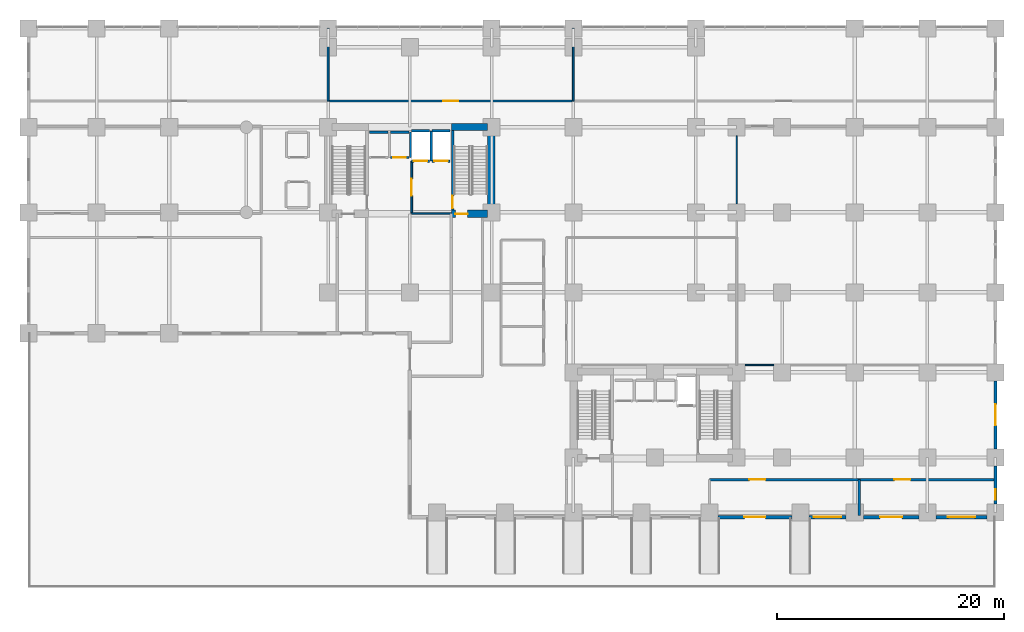
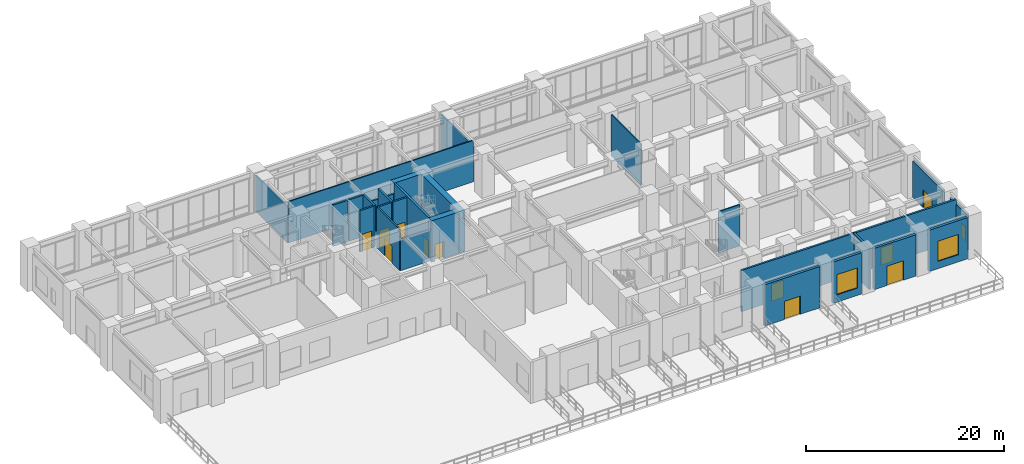
# One storey, part 16 of 22: 29 walls, 12 doors, 3 windows, 15 openings.
"""IFC4 building model written with IfcOpenShell, lengths in metres."""

from ifc_helpers import new_model, si_unit, direction, frame, frame_2d, origin, place, context, subcontext, project, spatial, rectangle, extrude, material, layer, layer_set, type_object, element, fill, save


model = new_model("IFC4")

# Units and contexts
model_context = context("Model", 3, precision=1e-05, world=origin(), true_north=direction((0.0, 1.0)))
body_context = subcontext(model_context, "Body", "Model", "MODEL_VIEW")
ifc_project = project(units=[si_unit("LENGTHUNIT", "METRE"), si_unit("AREAUNIT", "SQUARE_METRE"), si_unit("VOLUMEUNIT", "CUBIC_METRE"), si_unit("PLANEANGLEUNIT", "RADIAN"), si_unit("MASSUNIT", "GRAM", prefix="KILO")], contexts=[model_context])

# Site, building, storey
site_placement = place(None, origin())
site = spatial("IfcSite", under=ifc_project, at=site_placement, CompositionType="ELEMENT")
building_placement = place(site_placement, origin())
building = spatial("IfcBuilding", under=site, at=building_placement, Name="Kaliganga Portal Commons", CompositionType="ELEMENT")
storey_placement = place(building_placement, origin())
storey = spatial("IfcBuildingStorey", under=building, at=storey_placement, Name="L00", CompositionType="ELEMENT", Elevation=0.0)

# Wall
ifc_material_1 = material(Name="Concrete C70/85", Category="concrete")
ifc_layer_1 = layer(ifc_material_1, 0.64990234375)
ifc_layer_set_1 = layer_set([ifc_layer_1], Name="Concrete C70/85")
wall_type_1 = type_object("IfcWallType", Name="WL-CORE-650", PredefinedType="SHEAR", material=ifc_layer_set_1)
wall_1_placement = place(storey_placement, frame((28.77490234375, 28.199951171875, 0.0), z_axis=(0.0, 0.0, 1.0), x_axis=(0.0, 1.0, 0.0)))
element("IfcWall", 1, at=wall_1_placement, inside=storey, type_object=wall_type_1, Name="Core A East Shear Wall L00", PredefinedType="SHEAR", context=body_context, shape_type="SweptSolid", body=[
    extrude(rectangle(XDim=8.300048828125, YDim=0.64990234375, at=frame_2d((4.14990234375, 0.0))), origin(), (0.0, 0.0, 1.0), 5.1201171875),
])

# Wall, opening, door
wall_2_placement = place(storey_placement, frame((25.25, 28.52490234375, 0.0), z_axis=(0.0, 0.0, 1.0), x_axis=(1.0, 0.0, 0.0)))
wall_2 = element("IfcWall", 2, at=wall_2_placement, inside=storey, type_object=wall_type_1, Name="Core A S-East Shear Wall L00", PredefinedType="SHEAR", context=body_context, shape_type="SweptSolid", body=[
    extrude(rectangle(XDim=3.199951171875, YDim=0.64990234375, at=frame_2d((1.60009765625, 0.0))), origin(), (0.0, 0.0, 1.0), 5.1201171875),
])
opening_1_placement = place(wall_2_placement, frame((0.35009765625, 0.0, 0.0)))
opening_1 = element("IfcOpeningElement", 3, at=opening_1_placement, cuts=wall_2, Name="Opening SD-01", PredefinedType="OPENING", context=body_context, shape_type="SweptSolid", body=[
    extrude(rectangle(XDim=1.10009765625, YDim=2.080078125, at=frame_2d((0.550048828125, 1.0400390625))), frame((0.0, 0.3349609375, 0.0), z_axis=(0.0, -1.0, 0.0), x_axis=(1.0, 0.0, 0.0)), (0.0, 0.0, 1.0), 0.669921875),
])
ifc_material_2 = material(Name="Galvanized Steel Fire Door Leaf and Frame", Category="steel")
door_type_1 = type_object("IfcDoorType", Name="DR-STAIR-1100", OperationType="NOTDEFINED", PredefinedType="DOOR", material=ifc_material_2)
door_1_placement = place(opening_1_placement, origin())
door_1 = element("IfcDoor", 4, at=door_1_placement, inside=storey, type_object=door_type_1, Name="Protected Stair ST-A2 Exit Passageway Fire Door L00", OperationType="SINGLE_SWING_RIGHT", OverallHeight=2.080078125, OverallWidth=1.10009765625, PredefinedType="DOOR", context=body_context, shape_type="SweptSolid", body=[
    extrude(rectangle(XDim=1.10009765625, YDim=2.080078125, at=frame_2d((0.550048828125, 1.0400390625))), frame((0.0, 0.02490234375, 0.0), z_axis=(0.0, -1.0, 0.0), x_axis=(1.0, 0.0, 0.0)), (0.0, 0.0, 1.0), 0.050048828125),
])
fill(opening_1, door_1)

# Wall
wall_3_placement = place(storey_placement, frame((25.25, 36.175048828125, 0.0), z_axis=(0.0, 0.0, 1.0), x_axis=(1.0, 0.0, 0.0)))
element("IfcWall", 5, at=wall_3_placement, inside=storey, type_object=wall_type_1, Name="Core A N-East Shear Wall L00", PredefinedType="SHEAR", context=body_context, shape_type="SweptSolid", body=[
    extrude(rectangle(XDim=3.199951171875, YDim=0.64990234375, at=frame_2d((1.60009765625, 0.0))), origin(), (0.0, 0.0, 1.0), 5.1201171875),
])

# Wall, opening, door
ifc_material_3 = material(Name="Precast concrete C40/50", Category="concrete")
ifc_layer_2 = layer(ifc_material_3, 0.300048828125)
ifc_layer_set_2 = layer_set([ifc_layer_2], Name="Precast concrete C40/50")
wall_type_2 = type_object("IfcWallType", Name="WL-EXT-POD-300", PredefinedType="STANDARD", material=ifc_layer_set_2)
wall_4_placement = place(storey_placement, frame((55.2490234375, 1.800048828125, 0.0), z_axis=(0.0, 0.0, 1.0), x_axis=(-1.0, 0.0, 0.0)))
wall_4 = element("IfcWall", 6, at=wall_4_placement, inside=storey, type_object=wall_type_2, Name="Exterior Envelope Wall L00 P1-E00-S6", PredefinedType="STANDARD", context=body_context, shape_type="SweptSolid", body=[
    extrude(rectangle(XDim=6.498046875, YDim=0.300048828125, at=frame_2d((3.2490234375, 0.0))), origin(), (0.0, 0.0, 1.0), 5.10009765625),
])
opening_2_placement = place(wall_4_placement, frame((2.323974609375, 0.0, 0.0)))
opening_2 = element("IfcOpeningElement", 7, at=opening_2_placement, cuts=wall_4, Name="Opening XD-01", PredefinedType="OPENING", context=body_context, shape_type="SweptSolid", body=[
    extrude(rectangle(XDim=1.85009765625, YDim=2.25, at=frame_2d((0.925048828125, 1.125))), frame((0.0, 0.16015625, 0.0), z_axis=(0.0, -1.0, 0.0), x_axis=(1.0, 0.0, 0.0)), (0.0, 0.0, 1.0), 0.320068359375),
])
ifc_material_4 = material(Name="Anodized Aluminium and Laminated Safety Glass", Category="aluminium")
door_type_2 = type_object("IfcDoorType", Name="DR-EXIT-1850", OperationType="DOUBLE_DOOR_SINGLE_SWING", PredefinedType="DOOR", material=ifc_material_4)
door_2_placement = place(opening_2_placement, origin())
door_2 = element("IfcDoor", 8, at=door_2_placement, inside=storey, type_object=door_type_2, Name="Fire Command Centre Exterior Door XD-01", OperationType="DOUBLE_DOOR_SINGLE_SWING", OverallHeight=2.25, OverallWidth=1.85009765625, PredefinedType="DOOR", context=body_context, shape_type="SweptSolid", body=[
    extrude(rectangle(XDim=1.85009765625, YDim=2.25, at=frame_2d((0.925048828125, 1.125))), frame((0.0, 0.02490234375, 0.0), z_axis=(0.0, -1.0, 0.0), x_axis=(1.0, 0.0, 0.0)), (0.0, 0.0, 1.0), 0.050048828125),
])
fill(opening_2, door_2)

# Wall, opening, window
wall_5_placement = place(storey_placement, frame((60.049072265625, 1.800048828125, 0.0), z_axis=(0.0, 0.0, 1.0), x_axis=(-1.0, 0.0, 0.0)))
wall_5 = element("IfcWall", 9, at=wall_5_placement, inside=storey, type_object=wall_type_2, Name="Exterior Envelope Wall L00 P1-E00-S7", PredefinedType="STANDARD", context=body_context, shape_type="SweptSolid", body=[
    extrude(rectangle(XDim=3.298095703125, YDim=0.300048828125, at=frame_2d((1.64892578125, 0.0))), origin(), (0.0, 0.0, 1.0), 5.10009765625),
])
opening_3_placement = place(wall_5_placement, frame((0.448974609375, 0.0, 0.89990234375)))
opening_3 = element("IfcOpeningElement", 10, at=opening_3_placement, cuts=wall_5, Name="Opening W-05", PredefinedType="OPENING", context=body_context, shape_type="SweptSolid", body=[
    extrude(rectangle(XDim=2.39990234375, YDim=2.5, at=frame_2d((1.199951171875, 1.25))), frame((0.0, 0.16015625, 0.0), z_axis=(0.0, -1.0, 0.0), x_axis=(1.0, 0.0, 0.0)), (0.0, 0.0, 1.0), 0.320068359375),
])
ifc_material_5 = material(Name="Thermally Broken Aluminium and Low-E Double Glazing", Category="aluminium")
window_type_1 = type_object("IfcWindowType", Name="WIN-POD-2400", PartitioningType="TRIPLE_PANEL_VERTICAL", PredefinedType="WINDOW", material=ifc_material_5)
window_1_placement = place(opening_3_placement, origin())
window_1 = element("IfcWindow", 11, at=window_1_placement, inside=storey, type_object=window_type_1, Name="Facade Window L00-P1E00S7-00", OverallHeight=2.5, OverallWidth=2.39990234375, PartitioningType="SINGLE_PANEL", PredefinedType="WINDOW", context=body_context, shape_type="SweptSolid", body=[
    extrude(rectangle(XDim=2.39990234375, YDim=2.5, at=frame_2d((1.199951171875, 1.25))), frame((0.0, 0.030029296875, 0.0), z_axis=(0.0, -1.0, 0.0), x_axis=(1.0, 0.0, 0.0)), (0.0, 0.0, 1.0), 0.06005859375),
])
fill(opening_3, window_1)

# Wall, opening, door
wall_6_placement = place(storey_placement, frame((66.448974609375, 1.800048828125, 0.0), z_axis=(0.0, 0.0, 1.0), x_axis=(-1.0, 0.0, 0.0)))
wall_6 = element("IfcWall", 12, at=wall_6_placement, inside=storey, type_object=wall_type_2, Name="Exterior Envelope Wall L00 P1-E00-S8", PredefinedType="STANDARD", context=body_context, shape_type="SweptSolid", body=[
    extrude(rectangle(XDim=4.89794921875, YDim=0.300048828125, at=frame_2d((2.448974609375, 0.0))), origin(), (0.0, 0.0, 1.0), 5.10009765625),
])
opening_4_placement = place(wall_6_placement, frame((1.47412109375, 0.0, 0.0)))
opening_4 = element("IfcOpeningElement", 13, at=opening_4_placement, cuts=wall_6, Name="Opening ED-02", PredefinedType="OPENING", context=body_context, shape_type="SweptSolid", body=[
    extrude(rectangle(XDim=1.949951171875, YDim=2.39990234375, at=frame_2d((0.97509765625, 1.199951171875))), frame((0.0, 0.16015625, 0.0), z_axis=(0.0, -1.0, 0.0), x_axis=(1.0, 0.0, 0.0)), (0.0, 0.0, 1.0), 0.320068359375),
])
door_type_3 = type_object("IfcDoorType", Name="DR-POD-1950", OperationType="DOUBLE_DOOR_SINGLE_SWING", PredefinedType="DOOR", material=ifc_material_4)
door_3_placement = place(opening_4_placement, origin())
door_3 = element("IfcDoor", 14, at=door_3_placement, inside=storey, type_object=door_type_3, Name="Service Loading Bay Exterior Door ED-02", OperationType="DOUBLE_DOOR_SINGLE_SWING", OverallHeight=2.39990234375, OverallWidth=1.949951171875, PredefinedType="DOOR", context=body_context, shape_type="SweptSolid", body=[
    extrude(rectangle(XDim=1.949951171875, YDim=2.39990234375, at=frame_2d((0.97509765625, 1.199951171875))), frame((0.0, 0.02490234375, 0.0), z_axis=(0.0, -1.0, 0.0), x_axis=(1.0, 0.0, 0.0)), (0.0, 0.0, 1.0), 0.050048828125),
])
fill(opening_4, door_3)

# Wall, opening, window
wall_7_placement = place(storey_placement, frame((72.448974609375, 1.800048828125, 0.0), z_axis=(0.0, 0.0, 1.0), x_axis=(-1.0, 0.0, 0.0)))
wall_7 = element("IfcWall", 15, at=wall_7_placement, inside=storey, type_object=wall_type_2, Name="Exterior Envelope Wall L00 P1-E00-S9", PredefinedType="STANDARD", context=body_context, shape_type="SweptSolid", body=[
    extrude(rectangle(XDim=4.498046875, YDim=0.300048828125, at=frame_2d((2.2490234375, 0.0))), origin(), (0.0, 0.0, 1.0), 5.10009765625),
])
opening_5_placement = place(wall_7_placement, frame((1.049072265625, 0.0, 0.89990234375)))
opening_5 = element("IfcOpeningElement", 16, at=opening_5_placement, cuts=wall_7, Name="Opening W-05", PredefinedType="OPENING", context=body_context, shape_type="SweptSolid", body=[
    extrude(rectangle(XDim=2.39990234375, YDim=2.5, at=frame_2d((1.199951171875, 1.25))), frame((0.0, 0.16015625, 0.0), z_axis=(0.0, -1.0, 0.0), x_axis=(1.0, 0.0, 0.0)), (0.0, 0.0, 1.0), 0.320068359375),
])
window_2_placement = place(opening_5_placement, origin())
window_2 = element("IfcWindow", 17, at=window_2_placement, inside=storey, type_object=window_type_1, Name="Facade Window L00-P1E00S9-00", OverallHeight=2.5, OverallWidth=2.39990234375, PartitioningType="SINGLE_PANEL", PredefinedType="WINDOW", context=body_context, shape_type="SweptSolid", body=[
    extrude(rectangle(XDim=2.39990234375, YDim=2.5, at=frame_2d((1.199951171875, 1.25))), frame((0.0, 0.030029296875, 0.0), z_axis=(0.0, -1.0, 0.0), x_axis=(1.0, 0.0, 0.0)), (0.0, 0.0, 1.0), 0.06005859375),
])
fill(opening_5, window_2)

wall_8_placement = place(storey_placement, frame((73.199951171875, 6.299072265625, 0.0), z_axis=(0.0, 0.0, 1.0), x_axis=(0.0, -1.0, 0.0)))
wall_8 = element("IfcWall", 18, at=wall_8_placement, inside=storey, type_object=wall_type_2, Name="Exterior Envelope Wall L00 P1-E01-S1", PredefinedType="STANDARD", context=body_context, shape_type="SweptSolid", body=[
    extrude(rectangle(XDim=3.34814453125, YDim=0.300048828125, at=frame_2d((1.674072265625, 0.0))), origin(), (0.0, 0.0, 1.0), 4.5),
])
opening_6_placement = place(wall_8_placement, frame((2.029296875, 0.0, 0.89990234375)))
opening_6 = element("IfcOpeningElement", 19, at=opening_6_placement, cuts=wall_8, Name="Opening W-04", PredefinedType="OPENING", context=body_context, shape_type="SweptSolid", body=[
    extrude(rectangle(XDim=0.949951171875, YDim=1.75, at=frame_2d((0.47509765625, 0.875))), frame((0.0, 0.16015625, 0.0), z_axis=(0.0, -1.0, 0.0), x_axis=(1.0, 0.0, 0.0)), (0.0, 0.0, 1.0), 0.320068359375),
])
window_type_2 = type_object("IfcWindowType", Name="WIN-NARROW-950", PartitioningType="SINGLE_PANEL", PredefinedType="WINDOW", material=ifc_material_5)
window_3_placement = place(opening_6_placement, origin())
window_3 = element("IfcWindow", 20, at=window_3_placement, inside=storey, type_object=window_type_2, Name="Facade Window L00-P1E01S1-N2", OverallHeight=1.75, OverallWidth=0.949951171875, PartitioningType="SINGLE_PANEL", PredefinedType="WINDOW", context=body_context, shape_type="SweptSolid", body=[
    extrude(rectangle(XDim=0.949951171875, YDim=1.75, at=frame_2d((0.47509765625, 0.875))), frame((0.0, 0.030029296875, 0.0), z_axis=(0.0, -1.0, 0.0), x_axis=(1.0, 0.0, 0.0)), (0.0, 0.0, 1.0), 0.06005859375),
])
fill(opening_6, window_3)

# Wall, opening, door
wall_9_placement = place(storey_placement, frame((73.199951171875, 13.799072265625, 0.0), z_axis=(0.0, 0.0, 1.0), x_axis=(0.0, -1.0, 0.0)))
wall_9 = element("IfcWall", 21, at=wall_9_placement, inside=storey, type_object=wall_type_2, Name="Exterior Envelope Wall L00 P1-E01-S2", PredefinedType="STANDARD", context=body_context, shape_type="SweptSolid", body=[
    extrude(rectangle(XDim=5.998046875, YDim=0.300048828125, at=frame_2d((2.9990234375, 0.0))), origin(), (0.0, 0.0, 1.0), 4.5),
])
opening_7_placement = place(wall_9_placement, frame((2.073974609375, 0.0, 0.0)))
opening_7 = element("IfcOpeningElement", 22, at=opening_7_placement, cuts=wall_9, Name="Opening XD-01", PredefinedType="OPENING", context=body_context, shape_type="SweptSolid", body=[
    extrude(rectangle(XDim=1.85009765625, YDim=2.25, at=frame_2d((0.925048828125, 1.125))), frame((0.0, 0.16015625, 0.0), z_axis=(0.0, -1.0, 0.0), x_axis=(1.0, 0.0, 0.0)), (0.0, 0.0, 1.0), 0.320068359375),
])
door_4_placement = place(opening_7_placement, origin())
door_4 = element("IfcDoor", 23, at=door_4_placement, inside=storey, type_object=door_type_2, Name="East Forecourt Exit Discharge Door XD-E", OperationType="DOUBLE_DOOR_SINGLE_SWING", OverallHeight=2.25, OverallWidth=1.85009765625, PredefinedType="DOOR", context=body_context, shape_type="SweptSolid", body=[
    extrude(rectangle(XDim=1.85009765625, YDim=2.25, at=frame_2d((0.925048828125, 1.125))), frame((0.0, 0.02490234375, 0.0), z_axis=(0.0, -1.0, 0.0), x_axis=(1.0, 0.0, 0.0)), (0.0, 0.0, 1.0), 0.050048828125),
])
fill(opening_7, door_4)

ifc_material_6 = material(Name="Fire-Rated Gypsum Board on Steel Stud", Category="steel")
ifc_layer_3 = layer(ifc_material_6, 0.14990234375)
ifc_layer_set_3 = layer_set([ifc_layer_3], Name="Fire-Rated Gypsum Board on Steel Stud")
wall_type_3 = type_object("IfcWallType", Name="WL-PART-CORR-150", PredefinedType="PARTITIONING", material=ifc_layer_set_3)
wall_10_placement = place(storey_placement, frame((14.39990234375, 38.4599609375, 0.0), z_axis=(0.0, 0.0, 1.0), x_axis=(1.0, 0.0, 0.0)))
wall_10 = element("IfcWall", 24, at=wall_10_placement, inside=storey, type_object=wall_type_3, Name="Interior Partition L00-018", PredefinedType="PARTITIONING", context=body_context, shape_type="SweptSolid", body=[
    extrude(rectangle(XDim=21.60009765625, YDim=0.14990234375, at=frame_2d((10.800048828125, 0.0))), origin(), (0.0, 0.0, 1.0), 5.10009765625),
])
opening_8_placement = place(wall_10_placement, frame((10.14990234375, 0.0, 0.0)))
opening_8 = element("IfcOpeningElement", 25, at=opening_8_placement, cuts=wall_10, Name="Opening RD-03", PredefinedType="OPENING", context=body_context, shape_type="SweptSolid", body=[
    extrude(rectangle(XDim=1.300048828125, YDim=2.1201171875, at=frame_2d((0.64990234375, 1.06005859375))), frame((0.0, 0.0849609375, 0.0), z_axis=(0.0, -1.0, 0.0), x_axis=(1.0, 0.0, 0.0)), (0.0, 0.0, 1.0), 0.169921875),
])
ifc_material_7 = material(Name="Glazed Timber Seminar Vision Door", Category="wood")
door_type_4 = type_object("IfcDoorType", Name="DR-STUDY-1300", OperationType="DOUBLE_DOOR_SINGLE_SWING", PredefinedType="DOOR", material=ifc_material_7)
door_5_placement = place(opening_8_placement, origin())
door_5 = element("IfcDoor", 26, at=door_5_placement, inside=storey, type_object=door_type_4, Name="Interior Door L00-COOP", OperationType="DOUBLE_DOOR_SINGLE_SWING", OverallHeight=2.1201171875, OverallWidth=1.300048828125, PredefinedType="DOOR", context=body_context, shape_type="SweptSolid", body=[
    extrude(rectangle(XDim=1.300048828125, YDim=2.1201171875, at=frame_2d((0.64990234375, 1.06005859375))), frame((0.0, 0.02490234375, 0.0), z_axis=(0.0, -1.0, 0.0), x_axis=(1.0, 0.0, 0.0)), (0.0, 0.0, 1.0), 0.050048828125),
])
fill(opening_8, door_5)

wall_11_placement = place(storey_placement, frame((21.760009765625, 28.56005859375, 0.0), z_axis=(0.0, 0.0, 1.0), x_axis=(0.0, 1.0, 0.0)))
wall_11 = element("IfcWall", 27, at=wall_11_placement, inside=storey, type_object=wall_type_3, Name="Interior Partition L00-050", PredefinedType="PARTITIONING", context=body_context, shape_type="SweptSolid", body=[
    extrude(rectangle(XDim=4.599853515625, YDim=0.14990234375, at=frame_2d((2.2998046875, 0.0))), origin(), (0.0, 0.0, 1.0), 5.10009765625),
])
opening_9_placement = place(wall_11_placement, frame((1.550048828125, 0.0, 0.0)))
opening_9 = element("IfcOpeningElement", 28, at=opening_9_placement, cuts=wall_11, Name="Opening FD-01", PredefinedType="OPENING", context=body_context, shape_type="SweptSolid", body=[
    extrude(rectangle(XDim=1.5, YDim=2.10009765625, at=frame_2d((0.75, 1.050048828125))), frame((0.0, 0.0849609375, 0.0), z_axis=(0.0, -1.0, 0.0), x_axis=(1.0, 0.0, 0.0)), (0.0, 0.0, 1.0), 0.169921875),
])
ifc_material_8 = material(Name="Fire-Rated Hardwood and Georgian-Wired Vision Panel", Category="wood")
door_type_5 = type_object("IfcDoorType", Name="DR-LOBBY-1500", OperationType="DOUBLE_DOOR_SINGLE_SWING", PredefinedType="DOOR", material=ifc_material_8)
door_6_placement = place(opening_9_placement, origin())
door_6 = element("IfcDoor", 29, at=door_6_placement, inside=storey, type_object=door_type_5, Name="Interior Door L00-FFLOB_A", OperationType="DOUBLE_DOOR_SINGLE_SWING", OverallHeight=2.10009765625, OverallWidth=1.5, PredefinedType="DOOR", context=body_context, shape_type="SweptSolid", body=[
    extrude(rectangle(XDim=1.5, YDim=2.10009765625, at=frame_2d((0.75, 1.050048828125))), frame((0.0, 0.02490234375, 0.0), z_axis=(0.0, -1.0, 0.0), x_axis=(1.0, 0.0, 0.0)), (0.0, 0.0, 1.0), 0.050048828125),
])
fill(opening_9, door_6)

# Wall
wall_12_placement = place(storey_placement, frame((21.760009765625, 28.56005859375, 0.0), z_axis=(0.0, 0.0, 1.0), x_axis=(1.0, 0.0, 0.0)))
element("IfcWall", 30, at=wall_12_placement, inside=storey, type_object=wall_type_3, Name="Interior Partition L00-057", PredefinedType="PARTITIONING", context=body_context, shape_type="SweptSolid", body=[
    extrude(rectangle(XDim=3.47998046875, YDim=0.14990234375, at=frame_2d((1.739990234375, 0.0))), origin(), (0.0, 0.0, 1.0), 3.89990234375),
])

# Wall, opening, door
ifc_material_9 = material(Name="Lightweight blockwork masonry", Category="masonry")
ifc_layer_4 = layer(ifc_material_9, 0.215087890625)
ifc_layer_set_4 = layer_set([ifc_layer_4], Name="Lightweight blockwork masonry")
wall_type_4 = type_object("IfcWallType", Name="WL-PART-PLANT-215", PredefinedType="PARTITIONING", material=ifc_layer_set_4)
wall_13_placement = place(storey_placement, frame((48.0, 5.10009765625, 0.0), z_axis=(0.0, 0.0, 1.0), x_axis=(1.0, 0.0, 0.0)))
wall_13 = element("IfcWall", 31, at=wall_13_placement, inside=storey, type_object=wall_type_4, Name="Interior Partition L00-028", PredefinedType="PARTITIONING", context=body_context, shape_type="SweptSolid", body=[
    extrude(rectangle(XDim=13.199951171875, YDim=0.215087890625, at=frame_2d((6.60009765625, 0.0))), origin(), (0.0, 0.0, 1.0), 5.10009765625),
])
opening_10_placement = place(wall_13_placement, frame((3.52392578125, 0.0, 0.0)))
opening_10 = element("IfcOpeningElement", 32, at=opening_10_placement, cuts=wall_13, Name="Opening PD-01", PredefinedType="OPENING", context=body_context, shape_type="SweptSolid", body=[
    extrude(rectangle(XDim=1.39990234375, YDim=2.14990234375, at=frame_2d((0.699951171875, 1.074951171875))), frame((0.0, 0.11767578125, 0.0), z_axis=(0.0, -1.0, 0.0), x_axis=(1.0, 0.0, 0.0)), (0.0, 0.0, 1.0), 0.235107421875),
])
ifc_material_10 = material(Name="Heavy-Duty Steel Acoustic Louvre Fire Door", Category="steel")
door_type_6 = type_object("IfcDoorType", Name="DR-PLANT-1400", OperationType="DOUBLE_DOOR_SINGLE_SWING", PredefinedType="DOOR", material=ifc_material_10)
door_7_placement = place(opening_10_placement, origin())
door_7 = element("IfcDoor", 33, at=door_7_placement, inside=storey, type_object=door_type_6, Name="Interior Door L00-FCC", OperationType="DOUBLE_DOOR_SINGLE_SWING", OverallHeight=2.14990234375, OverallWidth=1.39990234375, PredefinedType="DOOR", context=body_context, shape_type="SweptSolid", body=[
    extrude(rectangle(XDim=1.39990234375, YDim=2.14990234375, at=frame_2d((0.699951171875, 1.074951171875))), frame((0.0, 0.02490234375, 0.0), z_axis=(0.0, -1.0, 0.0), x_axis=(1.0, 0.0, 0.0)), (0.0, 0.0, 1.0), 0.050048828125),
])
fill(opening_10, door_7)

wall_14_placement = place(storey_placement, frame((61.199951171875, 5.10009765625, 0.0), z_axis=(0.0, 0.0, 1.0), x_axis=(1.0, 0.0, 0.0)))
wall_14 = element("IfcWall", 34, at=wall_14_placement, inside=storey, type_object=wall_type_4, Name="Interior Partition L00-029", PredefinedType="PARTITIONING", context=body_context, shape_type="SweptSolid", body=[
    extrude(rectangle(XDim=11.8681640625, YDim=0.215087890625, at=frame_2d((5.93408203125, 0.0))), origin(), (0.0, 0.0, 1.0), 5.10009765625),
])
opening_11_placement = place(wall_14_placement, frame((3.097900390625, 0.0, 0.0)))
opening_11 = element("IfcOpeningElement", 35, at=opening_11_placement, cuts=wall_14, Name="Opening PD-01", PredefinedType="OPENING", context=body_context, shape_type="SweptSolid", body=[
    extrude(rectangle(XDim=1.39990234375, YDim=2.14990234375, at=frame_2d((0.699951171875, 1.074951171875))), frame((0.0, 0.11767578125, 0.0), z_axis=(0.0, -1.0, 0.0), x_axis=(1.0, 0.0, 0.0)), (0.0, 0.0, 1.0), 0.235107421875),
])
door_8_placement = place(opening_11_placement, origin())
door_8 = element("IfcDoor", 36, at=door_8_placement, inside=storey, type_object=door_type_6, Name="Interior Door L00-LOAD", OperationType="DOUBLE_DOOR_SINGLE_SWING", OverallHeight=2.14990234375, OverallWidth=1.39990234375, PredefinedType="DOOR", context=body_context, shape_type="SweptSolid", body=[
    extrude(rectangle(XDim=1.39990234375, YDim=2.14990234375, at=frame_2d((0.699951171875, 1.074951171875))), frame((0.0, 0.02490234375, 0.0), z_axis=(0.0, -1.0, 0.0), x_axis=(1.0, 0.0, 0.0)), (0.0, 0.0, 1.0), 0.050048828125),
])
fill(opening_11, door_8)

# Walls
wall_15_placement = place(storey_placement, frame((61.199951171875, 1.931884765625, 0.0), z_axis=(0.0, 0.0, 1.0), x_axis=(0.0, 1.0, 0.0)))
element("IfcWall", 37, at=wall_15_placement, inside=storey, type_object=wall_type_4, Name="Interior Partition L00-059", PredefinedType="PARTITIONING", context=body_context, shape_type="SweptSolid", body=[
    extrude(rectangle(XDim=3.168212890625, YDim=0.215087890625, at=frame_2d((1.583984375, 0.0))), origin(), (0.0, 0.0, 1.0), 5.10009765625),
])
ifc_material_11 = material(Name="Moisture-Resistant Gypsum Partition", Category="gypsum")
ifc_layer_5 = layer(ifc_material_11, 0.114990234375)
ifc_layer_set_5 = layer_set([ifc_layer_5], Name="Moisture-Resistant Gypsum Partition")
wall_type_5 = type_object("IfcWallType", Name="WL-PART-ROOM-115", PredefinedType="PARTITIONING", material=ifc_layer_set_5)
wall_16_placement = place(storey_placement, frame((51.14990234375, 15.199951171875, 0.0), z_axis=(0.0, 0.0, 1.0), x_axis=(1.0, 0.0, 0.0)))
element("IfcWall", 38, at=wall_16_placement, inside=storey, type_object=wall_type_5, Name="Interior Partition L00-037", PredefinedType="PARTITIONING", context=body_context, shape_type="SweptSolid", body=[
    extrude(rectangle(XDim=2.5, YDim=0.114990234375, at=frame_2d((1.25, 0.0))), origin(), (0.0, 0.0, 1.0), 5.10009765625),
])
wall_17_placement = place(storey_placement, frame((50.39990234375, 29.39990234375, 0.0), z_axis=(0.0, 0.0, 1.0), x_axis=(0.0, 1.0, 0.0)))
element("IfcWall", 39, at=wall_17_placement, inside=storey, type_object=wall_type_5, Name="Interior Partition L00-046", PredefinedType="PARTITIONING", context=body_context, shape_type="SweptSolid", body=[
    extrude(rectangle(XDim=6.0, YDim=0.114990234375, at=frame_2d((3.0, 0.0))), origin(), (0.0, 0.0, 1.0), 5.10009765625),
])
ifc_material_12 = material(Name="Twin-Stud Acoustic Gypsum Partition", Category="gypsum")
ifc_layer_6 = layer(ifc_material_12, 0.1650390625)
ifc_layer_set_6 = layer_set([ifc_layer_6], Name="Twin-Stud Acoustic Gypsum Partition")
wall_type_6 = type_object("IfcWallType", Name="WL-PART-UNIT-165", PredefinedType="PARTITIONING", material=ifc_layer_set_6)
for number, where, z_axis, x_axis, name in (
    (40, (14.39990234375, 38.4599609375, 0.0), (0.0, 0.0, 1.0), (0.0, 1.0, 0.0), "Interior Partition L00-048"),
    (41, (36.0, 38.4599609375, 0.0), (0.0, 0.0, 1.0), (0.0, 1.0, 0.0), "Interior Partition L00-049"),
):
    element("IfcWall", number, at=place(storey_placement, frame(where, z_axis=z_axis, x_axis=x_axis)), inside=storey, type_object=wall_type_6, Name=name, PredefinedType="PARTITIONING", context=body_context, shape_type="SweptSolid", body=[
        extrude(rectangle(XDim=6.407958984375, YDim=0.1650390625, at=frame_2d((3.2041015625, 0.0))), origin(), (0.0, 0.0, 1.0), 4.5),
    ])
ifc_material_13 = material(Name="Fire-Rated Shaftwall Masonry Assembly", Category="masonry")
ifc_layer_7 = layer(ifc_material_13, 0.199951171875)
ifc_layer_set_7 = layer_set([ifc_layer_7], Name="Fire-Rated Shaftwall Masonry Assembly")
wall_type_7 = type_object("IfcWallType", Name="WL-SHAFT-200", PredefinedType="PARTITIONING", material=ifc_layer_set_7)
wall_18_placement = place(storey_placement, frame((18.02490234375, 35.715087890625, 0.0), z_axis=(0.0, 0.0, 1.0), x_axis=(1.0, 0.0, 0.0)))
element("IfcWall", 42, at=wall_18_placement, inside=storey, type_object=wall_type_7, Name="Lift PL-A1 Hoistway Shaft Wall L00-N", PredefinedType="PARTITIONING", context=body_context, shape_type="SweptSolid", body=[
    extrude(rectangle(XDim=1.650146484375, YDim=0.199951171875, at=frame_2d((0.8251953125, 0.0))), origin(), (0.0, 0.0, 1.0), 5.10009765625),
])

# Wall, opening, door
wall_19_placement = place(storey_placement, frame((19.875, 33.485107421875, 0.0), z_axis=(0.0, 0.0, 1.0), x_axis=(1.0, 0.0, 0.0)))
wall_19 = element("IfcWall", 43, at=wall_19_placement, inside=storey, type_object=wall_type_7, Name="Lift PL-A2 Hoistway Shaft Wall L00-S", PredefinedType="PARTITIONING", context=body_context, shape_type="SweptSolid", body=[
    extrude(rectangle(XDim=1.64990234375, YDim=0.199951171875, at=frame_2d((0.824951171875, 0.0))), origin(), (0.0, 0.0, 1.0), 5.10009765625),
])
opening_12_placement = place(wall_19_placement, frame((0.27490234375, 0.0, 0.0)))
opening_12 = element("IfcOpeningElement", 44, at=opening_12_placement, cuts=wall_19, Name="Opening LD-01", PredefinedType="OPENING", context=body_context, shape_type="SweptSolid", body=[
    extrude(rectangle(XDim=1.10009765625, YDim=2.1201171875, at=frame_2d((0.550048828125, 1.06005859375))), frame((0.0, 0.10986328125, 0.0), z_axis=(0.0, -1.0, 0.0), x_axis=(1.0, 0.0, 0.0)), (0.0, 0.0, 1.0), 0.219970703125),
])
ifc_material_14 = material(Name="Brushed Stainless Steel 316 Lift Landing Door", Category="steel")
door_type_7 = type_object("IfcDoorType", Name="DR-LIFT-1100", OperationType="SLIDING_TO_LEFT", PredefinedType="DOOR", material=ifc_material_14)
door_9_placement = place(opening_12_placement, origin())
door_9 = element("IfcDoor", 45, at=door_9_placement, inside=storey, type_object=door_type_7, Name="Lift PL-A2 Sliding Landing Door L00", OperationType="SLIDING_TO_LEFT", OverallHeight=2.1201171875, OverallWidth=1.10009765625, PredefinedType="DOOR", context=body_context, shape_type="SweptSolid", body=[
    extrude(rectangle(XDim=1.10009765625, YDim=2.1201171875, at=frame_2d((0.550048828125, 1.06005859375))), frame((0.0, 0.02490234375, 0.0), z_axis=(0.0, -1.0, 0.0), x_axis=(1.0, 0.0, 0.0)), (0.0, 0.0, 1.0), 0.050048828125),
])
fill(opening_12, door_9)

# Walls
wall_20_placement = place(storey_placement, frame((19.875, 35.715087890625, 0.0), z_axis=(0.0, 0.0, 1.0), x_axis=(1.0, 0.0, 0.0)))
element("IfcWall", 46, at=wall_20_placement, inside=storey, type_object=wall_type_7, Name="Lift PL-A2 Hoistway Shaft Wall L00-N", PredefinedType="PARTITIONING", context=body_context, shape_type="SweptSolid", body=[
    extrude(rectangle(XDim=1.64990234375, YDim=0.199951171875, at=frame_2d((0.824951171875, 0.0))), origin(), (0.0, 0.0, 1.0), 5.10009765625),
])
wall_21_placement = place(storey_placement, frame((21.6650390625, 33.485107421875, 0.0), z_axis=(0.0, 0.0, 1.0), x_axis=(0.0, 1.0, 0.0)))
element("IfcWall", 47, at=wall_21_placement, inside=storey, type_object=wall_type_7, Name="Lift PL-A2 Hoistway Shaft Wall L00-E", PredefinedType="PARTITIONING", context=body_context, shape_type="SweptSolid", body=[
    extrude(rectangle(XDim=2.22998046875, YDim=0.199951171875, at=frame_2d((1.114990234375, 0.0))), origin(), (0.0, 0.0, 1.0), 5.10009765625),
])

# Wall, opening, door
wall_22_placement = place(storey_placement, frame((21.75, 33.159912109375, 0.0), z_axis=(0.0, 0.0, 1.0), x_axis=(1.0, 0.0, 0.0)))
wall_22 = element("IfcWall", 48, at=wall_22_placement, inside=storey, type_object=wall_type_7, Name="Lift FFL-1 Hoistway Shaft Wall L00-S", PredefinedType="PARTITIONING", context=body_context, shape_type="SweptSolid", body=[
    extrude(rectangle(XDim=1.60009765625, YDim=0.199951171875, at=frame_2d((0.800048828125, 0.0))), origin(), (0.0, 0.0, 1.0), 5.10009765625),
])
opening_13_placement = place(wall_22_placement, frame((0.199951171875, 0.0, 0.0)))
opening_13 = element("IfcOpeningElement", 49, at=opening_13_placement, cuts=wall_22, Name="Opening LD-02", PredefinedType="OPENING", context=body_context, shape_type="SweptSolid", body=[
    extrude(rectangle(XDim=1.199951171875, YDim=2.1201171875, at=frame_2d((0.60009765625, 1.06005859375))), frame((0.0, 0.10986328125, 0.0), z_axis=(0.0, -1.0, 0.0), x_axis=(1.0, 0.0, 0.0)), (0.0, 0.0, 1.0), 0.219970703125),
])
ifc_material_15 = material(Name="Brushed Stainless Steel 316 Stretcher Lift Landing Door", Category="steel")
door_type_8 = type_object("IfcDoorType", Name="DR-LIFT-1200", OperationType="SLIDING_TO_RIGHT", PredefinedType="DOOR", material=ifc_material_15)
door_10_placement = place(opening_13_placement, origin())
door_10 = element("IfcDoor", 50, at=door_10_placement, inside=storey, type_object=door_type_8, Name="Lift FFL-1 Sliding Landing Door L00", OperationType="SLIDING_TO_RIGHT", OverallHeight=2.1201171875, OverallWidth=1.199951171875, PredefinedType="DOOR", context=body_context, shape_type="SweptSolid", body=[
    extrude(rectangle(XDim=1.199951171875, YDim=2.1201171875, at=frame_2d((0.60009765625, 1.06005859375))), frame((0.0, 0.02490234375, 0.0), z_axis=(0.0, -1.0, 0.0), x_axis=(1.0, 0.0, 0.0)), (0.0, 0.0, 1.0), 0.050048828125),
])
fill(opening_13, door_10)

# Walls
wall_23_placement = place(storey_placement, frame((21.75, 35.840087890625, 0.0), z_axis=(0.0, 0.0, 1.0), x_axis=(1.0, 0.0, 0.0)))
element("IfcWall", 51, at=wall_23_placement, inside=storey, type_object=wall_type_7, Name="Lift FFL-1 Hoistway Shaft Wall L00-N", PredefinedType="PARTITIONING", context=body_context, shape_type="SweptSolid", body=[
    extrude(rectangle(XDim=1.60009765625, YDim=0.199951171875, at=frame_2d((0.800048828125, 0.0))), origin(), (0.0, 0.0, 1.0), 3.89990234375),
])
wall_24_placement = place(storey_placement, frame((23.489990234375, 33.159912109375, 0.0), z_axis=(0.0, 0.0, 1.0), x_axis=(0.0, 1.0, 0.0)))
element("IfcWall", 52, at=wall_24_placement, inside=storey, type_object=wall_type_7, Name="Lift FFL-1 Hoistway Shaft Wall L00-E", PredefinedType="PARTITIONING", context=body_context, shape_type="SweptSolid", body=[
    extrude(rectangle(XDim=2.68017578125, YDim=0.199951171875, at=frame_2d((1.340087890625, 0.0))), origin(), (0.0, 0.0, 1.0), 5.10009765625),
])

# Wall, opening, door
wall_25_placement = place(storey_placement, frame((23.550048828125, 33.159912109375, 0.0), z_axis=(0.0, 0.0, 1.0), x_axis=(1.0, 0.0, 0.0)))
wall_25 = element("IfcWall", 53, at=wall_25_placement, inside=storey, type_object=wall_type_7, Name="Lift FFL-2 Hoistway Shaft Wall L00-S", PredefinedType="PARTITIONING", context=body_context, shape_type="SweptSolid", body=[
    extrude(rectangle(XDim=1.599853515625, YDim=0.199951171875, at=frame_2d((0.7998046875, 0.0))), origin(), (0.0, 0.0, 1.0), 5.10009765625),
])
opening_14_placement = place(wall_25_placement, frame((0.199951171875, 0.0, 0.0)))
opening_14 = element("IfcOpeningElement", 54, at=opening_14_placement, cuts=wall_25, Name="Opening LD-02", PredefinedType="OPENING", context=body_context, shape_type="SweptSolid", body=[
    extrude(rectangle(XDim=1.199951171875, YDim=2.1201171875, at=frame_2d((0.60009765625, 1.06005859375))), frame((0.0, 0.10986328125, 0.0), z_axis=(0.0, -1.0, 0.0), x_axis=(1.0, 0.0, 0.0)), (0.0, 0.0, 1.0), 0.219970703125),
])
door_11_placement = place(opening_14_placement, origin())
door_11 = element("IfcDoor", 55, at=door_11_placement, inside=storey, type_object=door_type_8, Name="Lift FFL-2 Sliding Landing Door L00", OperationType="SLIDING_TO_RIGHT", OverallHeight=2.1201171875, OverallWidth=1.199951171875, PredefinedType="DOOR", context=body_context, shape_type="SweptSolid", body=[
    extrude(rectangle(XDim=1.199951171875, YDim=2.1201171875, at=frame_2d((0.60009765625, 1.06005859375))), frame((0.0, 0.02490234375, 0.0), z_axis=(0.0, -1.0, 0.0), x_axis=(1.0, 0.0, 0.0)), (0.0, 0.0, 1.0), 0.050048828125),
])
fill(opening_14, door_11)

# Wall
wall_26_placement = place(storey_placement, frame((23.550048828125, 35.840087890625, 0.0), z_axis=(0.0, 0.0, 1.0), x_axis=(1.0, 0.0, 0.0)))
element("IfcWall", 56, at=wall_26_placement, inside=storey, type_object=wall_type_7, Name="Lift FFL-2 Hoistway Shaft Wall L00-N", PredefinedType="PARTITIONING", context=body_context, shape_type="SweptSolid", body=[
    extrude(rectangle(XDim=1.599853515625, YDim=0.199951171875, at=frame_2d((0.7998046875, 0.0))), origin(), (0.0, 0.0, 1.0), 3.89990234375),
])

# Wall, opening, door
ifc_material_16 = material(Name="Concrete C50/60", Category="concrete")
ifc_layer_8 = layer(ifc_material_16, 0.25)
ifc_layer_set_8 = layer_set([ifc_layer_8], Name="Concrete C50/60")
wall_type_8 = type_object("IfcWallType", Name="WL-STAIR-250", PredefinedType="SHEAR", material=ifc_layer_set_8)
wall_27_placement = place(storey_placement, frame((25.375, 28.85009765625, 0.0), z_axis=(0.0, 0.0, 1.0), x_axis=(0.0, 1.0, 0.0)))
wall_27 = element("IfcWall", 57, at=wall_27_placement, inside=storey, type_object=wall_type_8, Name="Stair A2 Enclosure Shear Wall L00", PredefinedType="SHEAR", context=body_context, shape_type="SweptSolid", body=[
    extrude(rectangle(XDim=7.0, YDim=0.25, at=frame_2d((3.5, 0.0))), origin(), (0.0, 0.0, 1.0), 5.1201171875),
])
opening_15_placement = place(wall_27_placement, frame((0.14990234375, 0.0, 0.0)))
opening_15 = element("IfcOpeningElement", 58, at=opening_15_placement, cuts=wall_27, Name="Opening SD-01", PredefinedType="OPENING", context=body_context, shape_type="SweptSolid", body=[
    extrude(rectangle(XDim=1.10009765625, YDim=2.080078125, at=frame_2d((0.550048828125, 1.0400390625))), frame((0.0, 0.135009765625, 0.0), z_axis=(0.0, -1.0, 0.0), x_axis=(1.0, 0.0, 0.0)), (0.0, 0.0, 1.0), 0.27001953125),
])
door_12_placement = place(opening_15_placement, origin())
door_12 = element("IfcDoor", 59, at=door_12_placement, inside=storey, type_object=door_type_1, Name="Protected Stair ST-A2 Fire Door L00", OperationType="SINGLE_SWING_LEFT", OverallHeight=2.080078125, OverallWidth=1.10009765625, PredefinedType="DOOR", context=body_context, shape_type="SweptSolid", body=[
    extrude(rectangle(XDim=1.10009765625, YDim=2.080078125, at=frame_2d((0.550048828125, 1.0400390625))), frame((0.0, 0.02490234375, 0.0), z_axis=(0.0, -1.0, 0.0), x_axis=(1.0, 0.0, 0.0)), (0.0, 0.0, 1.0), 0.050048828125),
])
fill(opening_15, door_12)

save(model, "model.ifc")
